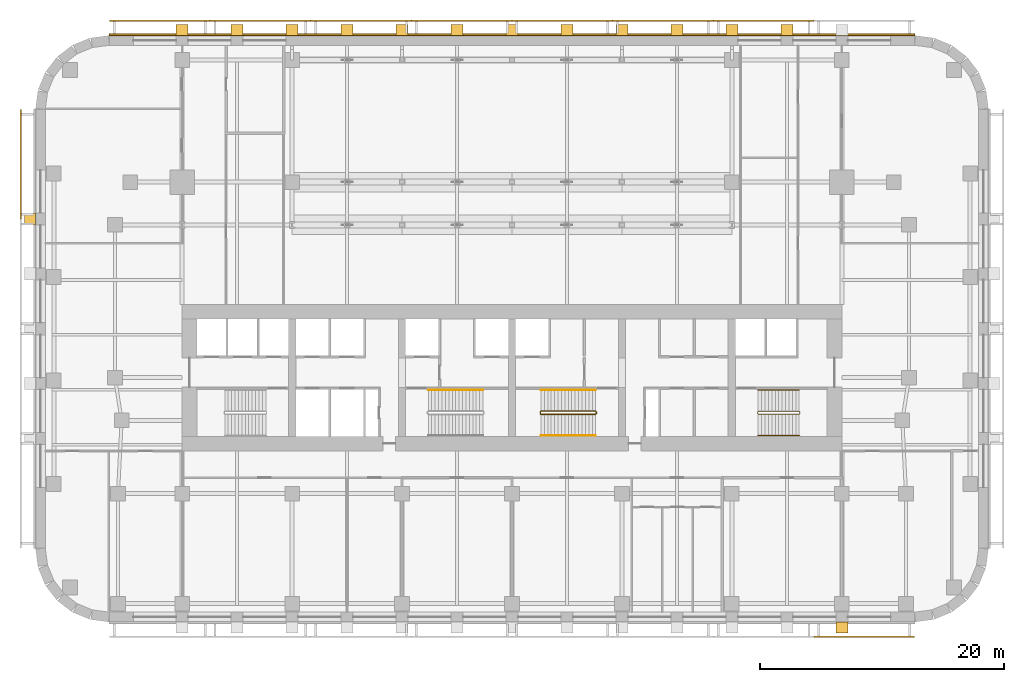
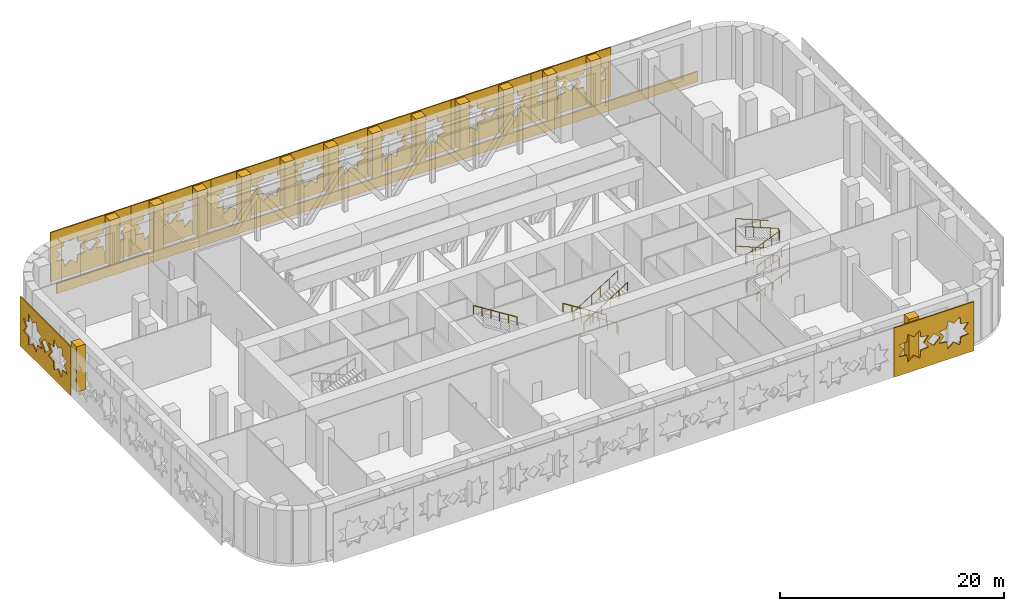
# One storey, part 14 of 15: 24 coverings, 7 railings.
"""IFC4 building model written with IfcOpenShell, lengths in metres."""

from ifc_helpers import new_model, si_unit, direction, frame, origin, origin_2d, place, context, subcontext, project, spatial, polyline, circle, outline, extrude, material, layer, layer_set, type_object, element, save


model = new_model("IFC4")

# Units and contexts
model_context = context("Model", 3, precision=1e-05, world=origin(), true_north=direction((0.0, 1.0)))
body_context = subcontext(model_context, "Body", "Model", "MODEL_VIEW")
ifc_project = project(units=[si_unit("LENGTHUNIT", "METRE"), si_unit("AREAUNIT", "SQUARE_METRE"), si_unit("VOLUMEUNIT", "CUBIC_METRE"), si_unit("PLANEANGLEUNIT", "RADIAN"), si_unit("MASSUNIT", "GRAM", prefix="KILO")], contexts=[model_context])

# Site, building, storey
site_placement = place(None, origin())
site = spatial("IfcSite", under=ifc_project, at=site_placement, CompositionType="ELEMENT")
building_placement = place(site_placement, origin())
building = spatial("IfcBuilding", under=site, at=building_placement, Name="Zellij Exchange Tower", CompositionType="ELEMENT")
storey_placement = place(building_placement, frame((0.0, 0.0, 33.0)))
storey = spatial("IfcBuildingStorey", under=building, at=storey_placement, Name="L05", CompositionType="ELEMENT", Elevation=33.0)

# Railings
ifc_material_1 = material(Name="Stainless steel", Category="steel")
railing_type_1 = type_object("IfcRailingType", Name="CORE-RG stair guard", PredefinedType="GUARDRAIL", material=ifc_material_1)
railing_1_placement = place(storey_placement, frame((6.89990234375, -10.800048828125, 0.0)))
element("IfcRailing", 1, at=railing_1_placement, inside=storey, type_object=railing_type_1, Name="ST3 stair guard L05", PredefinedType="GUARDRAIL", context=body_context, shape_type="SweptSolid", body=[
    extrude(circle(Radius=0.02392578125, at=origin_2d()), frame((0.0, 0.0, 1.076171875), z_axis=(0.0, -1.0, 0.0), x_axis=(1.0, 0.0, 0.0)), (0.0, 0.0, 1.0), 0.14990234375),
    extrude(circle(Radius=0.02392578125, at=origin_2d()), frame((0.0, -0.14990234375, 1.076171875), z_axis=(-0.183560001127, 0.736939416289, 0.650558239288), x_axis=(-0.970351222016, -0.241699205484, 0.0)), (0.0, 0.0, 1.0), 0.271240234375),
    extrude(circle(Radius=0.02392578125, at=origin_2d()), frame((-0.0498046875, 0.050048828125, 1.25244140625), z_axis=(-0.845997938375, 0.0, 0.533186166611), x_axis=(0.0, -1.0, 0.0)), (0.0, 0.0, 1.0), 5.29541015625),
    extrude(circle(Radius=0.02392578125, at=origin_2d()), frame((-4.52978515625, 0.050048828125, 4.076171875), z_axis=(-0.707106781187, -0.707106781187, 0.0), x_axis=(0.707106781187, -0.707106781187, 0.0)), (0.0, 0.0, 1.0), 0.07080078125),
    extrude(circle(Radius=0.02392578125, at=origin_2d()), frame((-4.579833984375, 0.0, 4.076171875), z_axis=(0.0, -1.0, 0.0), x_axis=(1.0, 0.0, 0.0)), (0.0, 0.0, 1.0), 0.14990234375),
    extrude(circle(Radius=0.02392578125, at=origin_2d()), frame((-4.579833984375, -0.14990234375, 4.076171875), z_axis=(0.263171338983, -0.263171338983, 0.928160380902), x_axis=(0.707106781187, 0.707106781187, 0.0)), (0.0, 0.0, 1.0), 0.190185546875),
    extrude(circle(Radius=0.02392578125, at=origin_2d()), frame((-4.52978515625, -0.199951171875, 4.25244140625), z_axis=(0.845997938375, 0.0, 0.533186166611), x_axis=(0.0, 1.0, 0.0)), (0.0, 0.0, 1.0), 5.29541015625),
    extrude(circle(Radius=0.02099609375, at=origin_2d()), origin(), (0.0, 0.0, 1.0), 1.052001953125),
    extrude(circle(Radius=0.02099609375, at=origin_2d()), frame((0.0, -0.14990234375, 0.0)), (0.0, 0.0, 1.0), 1.052001953125),
    extrude(circle(Radius=0.02099609375, at=origin_2d()), frame((-0.0498046875, 0.050048828125, 0.176513671875)), (0.0, 0.0, 1.0), 1.052001953125),
    extrude(circle(Radius=0.02099609375, at=origin_2d()), frame((-0.94580078125, 0.050048828125, 0.7412109375)), (0.0, 0.0, 1.0), 1.052001953125),
    extrude(circle(Radius=0.02099609375, at=origin_2d()), frame((-1.841796875, 0.050048828125, 1.305908203125)), (0.0, 0.0, 1.0), 1.052001953125),
    extrude(circle(Radius=0.02099609375, at=origin_2d()), frame((-2.73779296875, 0.050048828125, 1.87060546875)), (0.0, 0.0, 1.0), 1.052001953125),
    extrude(circle(Radius=0.02099609375, at=origin_2d()), frame((-3.6337890625, 0.050048828125, 2.435302734375)), (0.0, 0.0, 1.0), 1.052001953125),
    extrude(circle(Radius=0.02099609375, at=origin_2d()), frame((-4.52978515625, 0.050048828125, 3.0)), (0.0, 0.0, 1.0), 1.052001953125),
    extrude(circle(Radius=0.02099609375, at=origin_2d()), frame((-4.579833984375, 0.0, 3.0)), (0.0, 0.0, 1.0), 1.052001953125),
    extrude(circle(Radius=0.02099609375, at=origin_2d()), frame((-4.579833984375, -0.14990234375, 3.0)), (0.0, 0.0, 1.0), 1.052001953125),
    extrude(circle(Radius=0.02099609375, at=origin_2d()), frame((-4.52978515625, -0.199951171875, 3.176513671875)), (0.0, 0.0, 1.0), 1.052001953125),
    extrude(circle(Radius=0.02099609375, at=origin_2d()), frame((-3.6337890625, -0.199951171875, 3.7412109375)), (0.0, 0.0, 1.0), 1.052001953125),
    extrude(circle(Radius=0.02099609375, at=origin_2d()), frame((-2.73779296875, -0.199951171875, 4.305908203125)), (0.0, 0.0, 1.0), 1.052001953125),
    extrude(circle(Radius=0.02099609375, at=origin_2d()), frame((-1.841796875, -0.199951171875, 4.87060546875)), (0.0, 0.0, 1.0), 1.052001953125),
    extrude(circle(Radius=0.02099609375, at=origin_2d()), frame((-0.94580078125, -0.199951171875, 5.435302734375)), (0.0, 0.0, 1.0), 1.052001953125),
    extrude(circle(Radius=0.02099609375, at=origin_2d()), frame((-0.0498046875, -0.199951171875, 6.0)), (0.0, 0.0, 1.0), 1.052001953125),
])
railing_2_placement = place(storey_placement, frame((20.10009765625, -10.949951171875, 0.0)))
element("IfcRailing", 2, at=railing_2_placement, inside=storey, type_object=railing_type_1, Name="ST4 stair guard L05", PredefinedType="GUARDRAIL", context=body_context, shape_type="SweptSolid", body=[
    extrude(circle(Radius=0.02392578125, at=origin_2d()), frame((0.0, 0.0, 1.076171875), z_axis=(0.0, 1.0, 0.0), x_axis=(-1.0, 0.0, 0.0)), (0.0, 0.0, 1.0), 0.14990234375),
    extrude(circle(Radius=0.02392578125, at=origin_2d()), frame((0.0, 0.14990234375, 1.076171875), z_axis=(0.210847110147, -0.846489133385, 0.488875897547), x_axis=(0.970351222016, 0.241699205484, 0.0)), (0.0, 0.0, 1.0), 0.236328125),
    extrude(circle(Radius=0.02392578125, at=origin_2d()), frame((0.0498046875, -0.050048828125, 1.19140625), z_axis=(0.924586246868, 0.0, 0.380972797064), x_axis=(0.0, 1.0, 0.0)), (0.0, 0.0, 1.0), 3.63427734375),
    extrude(circle(Radius=0.02392578125, at=origin_2d()), frame((3.409912109375, -0.050048828125, 2.576171875), z_axis=(0.707106781187, 0.707106781187, 0.0), x_axis=(-0.707106781187, 0.707106781187, 0.0)), (0.0, 0.0, 1.0), 0.07080078125),
    extrude(circle(Radius=0.02392578125, at=origin_2d()), frame((3.4599609375, 0.0, 2.576171875), z_axis=(0.0, 1.0, 0.0), x_axis=(-1.0, 0.0, 0.0)), (0.0, 0.0, 1.0), 0.14990234375),
    extrude(circle(Radius=0.02392578125, at=origin_2d()), frame((3.4599609375, 0.14990234375, 2.576171875), z_axis=(-0.3695169537, 0.3695169537, 0.852592776099), x_axis=(-0.707106781187, -0.707106781187, 0.0)), (0.0, 0.0, 1.0), 0.135498046875),
    extrude(circle(Radius=0.02392578125, at=origin_2d()), frame((3.409912109375, 0.199951171875, 2.69140625), z_axis=(-0.924586246868, 0.0, 0.380972797064), x_axis=(0.0, -1.0, 0.0)), (0.0, 0.0, 1.0), 3.63427734375),
    extrude(circle(Radius=0.02392578125, at=origin_2d()), frame((0.0498046875, 0.199951171875, 4.076171875), z_axis=(-0.241699205484, -0.970351222016, 0.0), x_axis=(0.970351222016, -0.241699205484, 0.0)), (0.0, 0.0, 1.0), 0.2060546875),
    extrude(circle(Radius=0.02392578125, at=origin_2d()), frame((0.0, 0.0, 4.076171875), z_axis=(0.0, 1.0, 0.0), x_axis=(-1.0, 0.0, 0.0)), (0.0, 0.0, 1.0), 0.14990234375),
    extrude(circle(Radius=0.02392578125, at=origin_2d()), frame((0.0, 0.14990234375, 4.076171875), z_axis=(0.210847110147, -0.846489133385, 0.488875897547), x_axis=(0.970351222016, 0.241699205484, 0.0)), (0.0, 0.0, 1.0), 0.236328125),
    extrude(circle(Radius=0.02392578125, at=origin_2d()), frame((0.0498046875, -0.050048828125, 4.19140625), z_axis=(0.924586246868, 0.0, 0.380972797064), x_axis=(0.0, 1.0, 0.0)), (0.0, 0.0, 1.0), 3.63427734375),
    extrude(circle(Radius=0.02392578125, at=origin_2d()), frame((3.409912109375, -0.050048828125, 5.576171875), z_axis=(0.707106781187, 0.707106781187, 0.0), x_axis=(-0.707106781187, 0.707106781187, 0.0)), (0.0, 0.0, 1.0), 0.07080078125),
    extrude(circle(Radius=0.02392578125, at=origin_2d()), frame((3.4599609375, 0.0, 5.576171875), z_axis=(0.0, 1.0, 0.0), x_axis=(-1.0, 0.0, 0.0)), (0.0, 0.0, 1.0), 0.14990234375),
    extrude(circle(Radius=0.02392578125, at=origin_2d()), frame((3.4599609375, 0.14990234375, 5.576171875), z_axis=(-0.3695169537, 0.3695169537, 0.852592776099), x_axis=(-0.707106781187, -0.707106781187, 0.0)), (0.0, 0.0, 1.0), 0.135498046875),
    extrude(circle(Radius=0.02392578125, at=origin_2d()), frame((3.409912109375, 0.199951171875, 5.69140625), z_axis=(-0.924586246868, 0.0, 0.380972797064), x_axis=(0.0, -1.0, 0.0)), (0.0, 0.0, 1.0), 3.63427734375),
    extrude(circle(Radius=0.02099609375, at=origin_2d()), origin(), (0.0, 0.0, 1.0), 1.052001953125),
    extrude(circle(Radius=0.02099609375, at=origin_2d()), frame((0.0, 0.14990234375, 0.0)), (0.0, 0.0, 1.0), 1.052001953125),
    extrude(circle(Radius=0.02099609375, at=origin_2d()), frame((0.0498046875, -0.050048828125, 0.115478515625)), (0.0, 0.0, 1.0), 1.052001953125),
    extrude(circle(Radius=0.02099609375, at=origin_2d()), frame((0.889892578125, -0.050048828125, 0.461669921875)), (0.0, 0.0, 1.0), 1.052001953125),
    extrude(circle(Radius=0.02099609375, at=origin_2d()), frame((1.72998046875, -0.050048828125, 0.8076171875)), (0.0, 0.0, 1.0), 1.052001953125),
    extrude(circle(Radius=0.02099609375, at=origin_2d()), frame((2.56982421875, -0.050048828125, 1.15380859375)), (0.0, 0.0, 1.0), 1.052001953125),
    extrude(circle(Radius=0.02099609375, at=origin_2d()), frame((3.409912109375, -0.050048828125, 1.5)), (0.0, 0.0, 1.0), 1.052001953125),
    extrude(circle(Radius=0.02099609375, at=origin_2d()), frame((3.4599609375, 0.0, 1.5)), (0.0, 0.0, 1.0), 1.052001953125),
    extrude(circle(Radius=0.02099609375, at=origin_2d()), frame((3.4599609375, 0.14990234375, 1.5)), (0.0, 0.0, 1.0), 1.052001953125),
    extrude(circle(Radius=0.02099609375, at=origin_2d()), frame((3.409912109375, 0.199951171875, 1.615478515625)), (0.0, 0.0, 1.0), 1.052001953125),
    extrude(circle(Radius=0.02099609375, at=origin_2d()), frame((2.56982421875, 0.199951171875, 1.961669921875)), (0.0, 0.0, 1.0), 1.052001953125),
    extrude(circle(Radius=0.02099609375, at=origin_2d()), frame((1.72998046875, 0.199951171875, 2.3076171875)), (0.0, 0.0, 1.0), 1.052001953125),
    extrude(circle(Radius=0.02099609375, at=origin_2d()), frame((0.889892578125, 0.199951171875, 2.65380859375)), (0.0, 0.0, 1.0), 1.052001953125),
    extrude(circle(Radius=0.02099609375, at=origin_2d()), frame((0.0498046875, 0.199951171875, 3.0)), (0.0, 0.0, 1.0), 1.052001953125),
    extrude(circle(Radius=0.02099609375, at=origin_2d()), frame((0.0, 0.0, 3.0)), (0.0, 0.0, 1.0), 1.052001953125),
    extrude(circle(Radius=0.02099609375, at=origin_2d()), frame((0.0, 0.14990234375, 3.0)), (0.0, 0.0, 1.0), 1.052001953125),
    extrude(circle(Radius=0.02099609375, at=origin_2d()), frame((0.0498046875, -0.050048828125, 3.115478515625)), (0.0, 0.0, 1.0), 1.052001953125),
    extrude(circle(Radius=0.02099609375, at=origin_2d()), frame((0.889892578125, -0.050048828125, 3.461669921875)), (0.0, 0.0, 1.0), 1.052001953125),
    extrude(circle(Radius=0.02099609375, at=origin_2d()), frame((1.72998046875, -0.050048828125, 3.8076171875)), (0.0, 0.0, 1.0), 1.052001953125),
    extrude(circle(Radius=0.02099609375, at=origin_2d()), frame((2.56982421875, -0.050048828125, 4.15380859375)), (0.0, 0.0, 1.0), 1.052001953125),
    extrude(circle(Radius=0.02099609375, at=origin_2d()), frame((3.409912109375, -0.050048828125, 4.5)), (0.0, 0.0, 1.0), 1.052001953125),
    extrude(circle(Radius=0.02099609375, at=origin_2d()), frame((3.4599609375, 0.0, 4.5)), (0.0, 0.0, 1.0), 1.052001953125),
    extrude(circle(Radius=0.02099609375, at=origin_2d()), frame((3.4599609375, 0.14990234375, 4.5)), (0.0, 0.0, 1.0), 1.052001953125),
    extrude(circle(Radius=0.02099609375, at=origin_2d()), frame((3.409912109375, 0.199951171875, 4.615478515625)), (0.0, 0.0, 1.0), 1.052001953125),
    extrude(circle(Radius=0.02099609375, at=origin_2d()), frame((2.56982421875, 0.199951171875, 4.961669921875)), (0.0, 0.0, 1.0), 1.052001953125),
    extrude(circle(Radius=0.02099609375, at=origin_2d()), frame((1.72998046875, 0.199951171875, 5.3076171875)), (0.0, 0.0, 1.0), 1.052001953125),
    extrude(circle(Radius=0.02099609375, at=origin_2d()), frame((0.889892578125, 0.199951171875, 5.65380859375)), (0.0, 0.0, 1.0), 1.052001953125),
    extrude(circle(Radius=0.02099609375, at=origin_2d()), frame((0.0498046875, 0.199951171875, 6.0)), (0.0, 0.0, 1.0), 1.052001953125),
])
railing_type_2 = type_object("IfcRailingType", Name="CORE-RH stair handrail", PredefinedType="HANDRAIL", material=ifc_material_1)
for number, where, name in (
    (3, (-2.3701171875, -9.0, 3.176513671875), "ST2 stair handrail L05"),
    (4, (6.85009765625, -9.0, 0.176513671875), "ST3 stair handrail L05"),
):
    element("IfcRailing", number, at=place(storey_placement, frame(where)), inside=storey, type_object=railing_type_2, Name=name, PredefinedType="HANDRAIL", context=body_context, shape_type="SweptSolid", body=[
        extrude(circle(Radius=0.02392578125, at=origin_2d()), frame((0.0, 0.0, 0.8759765625), z_axis=(-0.845997938375, 0.0, 0.533186166611), x_axis=(0.0, -1.0, 0.0)), (0.0, 0.0, 1.0), 5.29541015625),
        extrude(circle(Radius=0.02099609375, at=origin_2d()), origin(), (0.0, 0.0, 1.0), 0.851806640625),
        extrude(circle(Radius=0.02099609375, at=origin_2d()), frame((-0.89599609375, 0.0, 0.564697265625)), (0.0, 0.0, 1.0), 0.851806640625),
        extrude(circle(Radius=0.02099609375, at=origin_2d()), frame((-1.7919921875, 0.0, 1.12939453125)), (0.0, 0.0, 1.0), 0.851806640625),
        extrude(circle(Radius=0.02099609375, at=origin_2d()), frame((-2.68798828125, 0.0, 1.694091796875)), (0.0, 0.0, 1.0), 0.851806640625),
        extrude(circle(Radius=0.02099609375, at=origin_2d()), frame((-3.583984375, 0.0, 2.2587890625)), (0.0, 0.0, 1.0), 0.851806640625),
        extrude(circle(Radius=0.02099609375, at=origin_2d()), frame((-4.47998046875, 0.0, 2.823486328125)), (0.0, 0.0, 1.0), 0.851806640625),
    ])
railing_3_placement = place(storey_placement, frame((2.3701171875, -12.75, 3.176513671875)))
element("IfcRailing", 5, at=railing_3_placement, inside=storey, type_object=railing_type_2, Name="ST3 stair handrail L05", PredefinedType="HANDRAIL", context=body_context, shape_type="SweptSolid", body=[
    extrude(circle(Radius=0.02392578125, at=origin_2d()), frame((0.0, 0.0, 0.8759765625), z_axis=(0.845997938375, 0.0, 0.533186166611), x_axis=(0.0, 1.0, 0.0)), (0.0, 0.0, 1.0), 5.29541015625),
    extrude(circle(Radius=0.02099609375, at=origin_2d()), origin(), (0.0, 0.0, 1.0), 0.851806640625),
    extrude(circle(Radius=0.02099609375, at=origin_2d()), frame((0.89599609375, 0.0, 0.564697265625)), (0.0, 0.0, 1.0), 0.851806640625),
    extrude(circle(Radius=0.02099609375, at=origin_2d()), frame((1.7919921875, 0.0, 1.12939453125)), (0.0, 0.0, 1.0), 0.851806640625),
    extrude(circle(Radius=0.02099609375, at=origin_2d()), frame((2.68798828125, 0.0, 1.694091796875)), (0.0, 0.0, 1.0), 0.851806640625),
    extrude(circle(Radius=0.02099609375, at=origin_2d()), frame((3.583984375, 0.0, 2.2587890625)), (0.0, 0.0, 1.0), 0.851806640625),
    extrude(circle(Radius=0.02099609375, at=origin_2d()), frame((4.47998046875, 0.0, 2.823486328125)), (0.0, 0.0, 1.0), 0.851806640625),
])
railing_4_placement = place(storey_placement, frame((20.14990234375, -12.75, 0.115478515625)))
element("IfcRailing", 6, at=railing_4_placement, inside=storey, type_object=railing_type_2, Name="ST4 stair handrail L05", PredefinedType="HANDRAIL", context=body_context, shape_type="SweptSolid", body=[
    extrude(circle(Radius=0.02392578125, at=origin_2d()), frame((0.0, 0.0, 0.8759765625), z_axis=(0.924586246868, 0.0, 0.380972797064), x_axis=(0.0, 1.0, 0.0)), (0.0, 0.0, 1.0), 3.63427734375),
    extrude(circle(Radius=0.02392578125, at=origin_2d()), frame((3.360107421875, 0.0, 2.26025390625), z_axis=(0.0, 0.0, 1.0), x_axis=(1.0, 0.0, 0.0)), (0.0, 0.0, 1.0), 3.0),
    extrude(circle(Radius=0.02392578125, at=origin_2d()), frame((3.360107421875, 0.0, 5.26025390625), z_axis=(-0.924586246868, 0.0, -0.380972797064), x_axis=(0.0, -1.0, 0.0)), (0.0, 0.0, 1.0), 3.63427734375),
    extrude(circle(Radius=0.02099609375, at=origin_2d()), origin(), (0.0, 0.0, 1.0), 0.851806640625),
    extrude(circle(Radius=0.02099609375, at=origin_2d()), frame((0.840087890625, 0.0, 0.34619140625)), (0.0, 0.0, 1.0), 0.851806640625),
    extrude(circle(Radius=0.02099609375, at=origin_2d()), frame((1.68017578125, 0.0, 0.6923828125)), (0.0, 0.0, 1.0), 0.851806640625),
    extrude(circle(Radius=0.02099609375, at=origin_2d()), frame((2.52001953125, 0.0, 1.038330078125)), (0.0, 0.0, 1.0), 0.851806640625),
    extrude(circle(Radius=0.02099609375, at=origin_2d()), frame((3.360107421875, 0.0, 1.384521484375)), (0.0, 0.0, 1.0), 0.851806640625),
    extrude(circle(Radius=0.02099609375, at=origin_2d()), frame((3.360107421875, 0.0, 2.384521484375)), (0.0, 0.0, 1.0), 0.851806640625),
    extrude(circle(Radius=0.02099609375, at=origin_2d()), frame((3.360107421875, 0.0, 3.384521484375)), (0.0, 0.0, 1.0), 0.851806640625),
    extrude(circle(Radius=0.02099609375, at=origin_2d()), frame((3.360107421875, 0.0, 4.384521484375)), (0.0, 0.0, 1.0), 0.851806640625),
    extrude(circle(Radius=0.02099609375, at=origin_2d()), frame((2.52001953125, 0.0, 4.038330078125)), (0.0, 0.0, 1.0), 0.851806640625),
    extrude(circle(Radius=0.02099609375, at=origin_2d()), frame((1.68017578125, 0.0, 3.6923828125)), (0.0, 0.0, 1.0), 0.851806640625),
    extrude(circle(Radius=0.02099609375, at=origin_2d()), frame((0.840087890625, 0.0, 3.34619140625)), (0.0, 0.0, 1.0), 0.851806640625),
    extrude(circle(Radius=0.02099609375, at=origin_2d()), frame((0.0, 0.0, 3.0)), (0.0, 0.0, 1.0), 0.851806640625),
])
railing_5_placement = place(storey_placement, frame((23.510009765625, -9.0, 1.615478515625)))
element("IfcRailing", 7, at=railing_5_placement, inside=storey, type_object=railing_type_2, Name="ST4 stair handrail L05", PredefinedType="HANDRAIL", context=body_context, shape_type="SweptSolid", body=[
    extrude(circle(Radius=0.02392578125, at=origin_2d()), frame((0.0, 0.0, 0.8759765625), z_axis=(-0.924586246868, 0.0, 0.380972797064), x_axis=(0.0, -1.0, 0.0)), (0.0, 0.0, 1.0), 3.63427734375),
    extrude(circle(Radius=0.02392578125, at=origin_2d()), frame((-3.360107421875, 0.0, 2.26025390625), z_axis=(0.0, 0.0, 1.0), x_axis=(1.0, 0.0, 0.0)), (0.0, 0.0, 1.0), 3.0),
    extrude(circle(Radius=0.02392578125, at=origin_2d()), frame((-3.360107421875, 0.0, 5.26025390625), z_axis=(0.924586246868, 0.0, -0.380972797064), x_axis=(0.0, 1.0, 0.0)), (0.0, 0.0, 1.0), 3.63427734375),
    extrude(circle(Radius=0.02099609375, at=origin_2d()), origin(), (0.0, 0.0, 1.0), 0.851806640625),
    extrude(circle(Radius=0.02099609375, at=origin_2d()), frame((-0.840087890625, 0.0, 0.34619140625)), (0.0, 0.0, 1.0), 0.851806640625),
    extrude(circle(Radius=0.02099609375, at=origin_2d()), frame((-1.68017578125, 0.0, 0.6923828125)), (0.0, 0.0, 1.0), 0.851806640625),
    extrude(circle(Radius=0.02099609375, at=origin_2d()), frame((-2.52001953125, 0.0, 1.038330078125)), (0.0, 0.0, 1.0), 0.851806640625),
    extrude(circle(Radius=0.02099609375, at=origin_2d()), frame((-3.360107421875, 0.0, 1.384521484375)), (0.0, 0.0, 1.0), 0.851806640625),
    extrude(circle(Radius=0.02099609375, at=origin_2d()), frame((-3.360107421875, 0.0, 2.384521484375)), (0.0, 0.0, 1.0), 0.851806640625),
    extrude(circle(Radius=0.02099609375, at=origin_2d()), frame((-3.360107421875, 0.0, 3.384521484375)), (0.0, 0.0, 1.0), 0.851806640625),
    extrude(circle(Radius=0.02099609375, at=origin_2d()), frame((-3.360107421875, 0.0, 4.384521484375)), (0.0, 0.0, 1.0), 0.851806640625),
    extrude(circle(Radius=0.02099609375, at=origin_2d()), frame((-2.52001953125, 0.0, 4.038330078125)), (0.0, 0.0, 1.0), 0.851806640625),
    extrude(circle(Radius=0.02099609375, at=origin_2d()), frame((-1.68017578125, 0.0, 3.6923828125)), (0.0, 0.0, 1.0), 0.851806640625),
    extrude(circle(Radius=0.02099609375, at=origin_2d()), frame((-0.840087890625, 0.0, 3.34619140625)), (0.0, 0.0, 1.0), 0.851806640625),
    extrude(circle(Radius=0.02099609375, at=origin_2d()), frame((0.0, 0.0, 3.0)), (0.0, 0.0, 1.0), 0.851806640625),
])

# Coverings
ifc_material_2 = material(Name="Limestone cladding", Category="masonry")
ifc_layer_1 = layer(ifc_material_2, 0.14990234375)
ifc_layer_set_1 = layer_set([ifc_layer_1], Name="Limestone cladding")
covering_type_1 = type_object("IfcCoveringType", Name="ENV-CV1 Stone spandrel band 150", PredefinedType="CLADDING", material=ifc_layer_set_1)
covering_1_placement = place(storey_placement, frame((0.0, 0.0, -0.300048828125)))
element("IfcCovering", 8, at=covering_1_placement, inside=storey, type_object=covering_type_1, Name="Stone spandrel band", PredefinedType="CLADDING", context=body_context, shape_type="SweptSolid", body=[
    extrude(outline(polyline([(32.973876953125, 20.0), (-32.973876953125, 20.0), (-32.983642578125, 20.14990234375), (32.983642578125, 20.14990234375), (32.973876953125, 20.0)])), origin(), (0.0, 0.0, 1.0), 1.10009765625),
])
covering_type_2 = type_object("IfcCoveringType", Name="ENV-CV2 Stone pier 1000x900", PredefinedType="CLADDING", material=ifc_material_2)
covering_2_placement = place(storey_placement, frame((0.0, 0.0, 0.800048828125)))
element("IfcCovering", 9, at=covering_2_placement, inside=storey, type_object=covering_type_2, Name="Stone pier", PredefinedType="CLADDING", context=body_context, shape_type="SweptSolid", body=[
    extrude(outline(polyline([(26.5, -28.0), (27.5, -28.0), (27.5, -28.89990234375), (26.5, -28.89990234375), (26.5, -28.0)])), origin(), (0.0, 0.0, 1.0), 4.949951171875),
])
covering_3_placement = place(storey_placement, frame((0.0, 0.0, 0.800048828125)))
element("IfcCovering", 10, at=covering_3_placement, inside=storey, type_object=covering_type_2, Name="Stone pier", PredefinedType="CLADDING", context=body_context, shape_type="SweptSolid", body=[
    extrude(outline(polyline([(23.0, 20.0), (22.0, 20.0), (22.0, 20.89990234375), (23.0, 20.89990234375), (23.0, 20.0)])), origin(), (0.0, 0.0, 1.0), 4.949951171875),
])
covering_4_placement = place(storey_placement, frame((0.0, 0.0, 0.800048828125)))
element("IfcCovering", 11, at=covering_4_placement, inside=storey, type_object=covering_type_2, Name="Stone pier", PredefinedType="CLADDING", context=body_context, shape_type="SweptSolid", body=[
    extrude(outline(polyline([(18.5, 20.0), (17.5, 20.0), (17.5, 20.89990234375), (18.5, 20.89990234375), (18.5, 20.0)])), origin(), (0.0, 0.0, 1.0), 4.949951171875),
])
covering_5_placement = place(storey_placement, frame((0.0, 0.0, 0.800048828125)))
element("IfcCovering", 12, at=covering_5_placement, inside=storey, type_object=covering_type_2, Name="Stone pier", PredefinedType="CLADDING", context=body_context, shape_type="SweptSolid", body=[
    extrude(outline(polyline([(14.0, 20.0), (13.0, 20.0), (13.0, 20.89990234375), (14.0, 20.89990234375), (14.0, 20.0)])), origin(), (0.0, 0.0, 1.0), 4.949951171875),
])
covering_6_placement = place(storey_placement, frame((0.0, 0.0, 0.800048828125)))
element("IfcCovering", 13, at=covering_6_placement, inside=storey, type_object=covering_type_2, Name="Stone pier", PredefinedType="CLADDING", context=body_context, shape_type="SweptSolid", body=[
    extrude(outline(polyline([(9.5, 20.0), (8.5, 20.0), (8.5, 20.89990234375), (9.5, 20.89990234375), (9.5, 20.0)])), origin(), (0.0, 0.0, 1.0), 4.949951171875),
])
covering_7_placement = place(storey_placement, frame((0.0, 0.0, 0.800048828125)))
element("IfcCovering", 14, at=covering_7_placement, inside=storey, type_object=covering_type_2, Name="Stone pier", PredefinedType="CLADDING", context=body_context, shape_type="SweptSolid", body=[
    extrude(outline(polyline([(5.0, 20.0), (4.0, 20.0), (4.0, 20.89990234375), (5.0, 20.89990234375), (5.0, 20.0)])), origin(), (0.0, 0.0, 1.0), 4.949951171875),
])
covering_8_placement = place(storey_placement, frame((0.0, 0.0, 0.800048828125)))
element("IfcCovering", 15, at=covering_8_placement, inside=storey, type_object=covering_type_2, Name="Stone pier", PredefinedType="CLADDING", context=body_context, shape_type="SweptSolid", body=[
    extrude(outline(polyline([(0.5, 20.0), (-0.5, 20.0), (-0.5, 20.89990234375), (0.5, 20.89990234375), (0.5, 20.0)])), origin(), (0.0, 0.0, 1.0), 4.949951171875),
])
covering_9_placement = place(storey_placement, frame((0.0, 0.0, 0.800048828125)))
element("IfcCovering", 16, at=covering_9_placement, inside=storey, type_object=covering_type_2, Name="Stone pier", PredefinedType="CLADDING", context=body_context, shape_type="SweptSolid", body=[
    extrude(outline(polyline([(-4.0, 20.0), (-5.0, 20.0), (-5.0, 20.89990234375), (-4.0, 20.89990234375), (-4.0, 20.0)])), origin(), (0.0, 0.0, 1.0), 4.949951171875),
])
covering_10_placement = place(storey_placement, frame((0.0, 0.0, 0.800048828125)))
element("IfcCovering", 17, at=covering_10_placement, inside=storey, type_object=covering_type_2, Name="Stone pier", PredefinedType="CLADDING", context=body_context, shape_type="SweptSolid", body=[
    extrude(outline(polyline([(-8.5, 20.0), (-9.5, 20.0), (-9.5, 20.89990234375), (-8.5, 20.89990234375), (-8.5, 20.0)])), origin(), (0.0, 0.0, 1.0), 4.949951171875),
])
covering_11_placement = place(storey_placement, frame((0.0, 0.0, 0.800048828125)))
element("IfcCovering", 18, at=covering_11_placement, inside=storey, type_object=covering_type_2, Name="Stone pier", PredefinedType="CLADDING", context=body_context, shape_type="SweptSolid", body=[
    extrude(outline(polyline([(-13.0, 20.0), (-14.0, 20.0), (-14.0, 20.89990234375), (-13.0, 20.89990234375), (-13.0, 20.0)])), origin(), (0.0, 0.0, 1.0), 4.949951171875),
])
covering_12_placement = place(storey_placement, frame((0.0, 0.0, 0.800048828125)))
element("IfcCovering", 19, at=covering_12_placement, inside=storey, type_object=covering_type_2, Name="Stone pier", PredefinedType="CLADDING", context=body_context, shape_type="SweptSolid", body=[
    extrude(outline(polyline([(-17.5, 20.0), (-18.5, 20.0), (-18.5, 20.89990234375), (-17.5, 20.89990234375), (-17.5, 20.0)])), origin(), (0.0, 0.0, 1.0), 4.949951171875),
])
covering_13_placement = place(storey_placement, frame((0.0, 0.0, 0.800048828125)))
element("IfcCovering", 20, at=covering_13_placement, inside=storey, type_object=covering_type_2, Name="Stone pier", PredefinedType="CLADDING", context=body_context, shape_type="SweptSolid", body=[
    extrude(outline(polyline([(-22.0, 20.0), (-23.0, 20.0), (-23.0, 20.89990234375), (-22.0, 20.89990234375), (-22.0, 20.0)])), origin(), (0.0, 0.0, 1.0), 4.949951171875),
])
covering_14_placement = place(storey_placement, frame((0.0, 0.0, 0.800048828125)))
element("IfcCovering", 21, at=covering_14_placement, inside=storey, type_object=covering_type_2, Name="Stone pier", PredefinedType="CLADDING", context=body_context, shape_type="SweptSolid", body=[
    extrude(outline(polyline([(-26.5, 20.0), (-27.5, 20.0), (-27.5, 20.89990234375), (-26.5, 20.89990234375), (-26.5, 20.0)])), origin(), (0.0, 0.0, 1.0), 4.949951171875),
])
covering_15_placement = place(storey_placement, frame((0.0, 0.0, 0.800048828125)))
element("IfcCovering", 22, at=covering_15_placement, inside=storey, type_object=covering_type_2, Name="Stone pier", PredefinedType="CLADDING", context=body_context, shape_type="SweptSolid", body=[
    extrude(outline(polyline([(-39.0, 5.48681640625), (-39.0, 4.48681640625), (-39.89990234375, 4.48681640625), (-39.89990234375, 5.48681640625), (-39.0, 5.48681640625)])), origin(), (0.0, 0.0, 1.0), 4.949951171875),
])
ifc_material_3 = material(Name="Limestone screen", Category="masonry")
ifc_layer_2 = layer(ifc_material_3, 0.1201171875)
ifc_layer_set_2 = layer_set([ifc_layer_2], Name="Limestone screen")
covering_type_3 = type_object("IfcCoveringType", Name="ENV-SC1 Pierced stone screen 120", PredefinedType="USERDEFINED", material=ifc_layer_set_2)
covering_16_placement = place(storey_placement, frame((-40.2099609375, 13.947509765625, 0.300048828125), z_axis=(0.0, 0.0, 1.0), x_axis=(0.0, -1.0, 0.0)))
element("IfcCovering", 23, at=covering_16_placement, inside=storey, type_object=covering_type_3, Name="Pierced stone screen", ObjectType="SCREEN", PredefinedType="USERDEFINED", context=body_context, shape_type="SweptSolid", body=[
    extrude(outline(polyline([(0.0, 0.0), (8.973876953125, 0.0), (8.973876953125, 5.35009765625), (0.0, 5.35009765625), (0.0, 0.0)]), holes=[polyline([(3.901611328125, 3.36181640625), (3.0302734375, 3.4619140625), (2.930419921875, 4.3330078125), (2.243408203125, 3.787841796875), (1.556640625, 4.3330078125), (1.45654296875, 3.4619140625), (0.585205078125, 3.36181640625), (1.130615234375, 2.675048828125), (0.585205078125, 1.98828125), (1.45654296875, 1.88818359375), (1.556640625, 1.016845703125), (2.243408203125, 1.562255859375), (2.930419921875, 1.016845703125), (3.0302734375, 1.88818359375), (3.901611328125, 1.98828125), (3.356201171875, 2.675048828125), (3.901611328125, 3.36181640625)]), polyline([(8.388427734375, 3.36181640625), (7.51708984375, 3.4619140625), (7.417236328125, 4.3330078125), (6.730224609375, 3.787841796875), (6.04345703125, 4.3330078125), (5.943603515625, 3.4619140625), (5.072265625, 3.36181640625), (5.61767578125, 2.675048828125), (5.072265625, 1.98828125), (5.943603515625, 1.88818359375), (6.04345703125, 1.016845703125), (6.730224609375, 1.562255859375), (7.417236328125, 1.016845703125), (7.51708984375, 1.88818359375), (8.388427734375, 1.98828125), (7.843017578125, 2.675048828125), (8.388427734375, 3.36181640625)]), polyline([(5.204833984375, 2.675048828125), (4.48681640625, 3.392822265625), (3.76904296875, 2.675048828125), (4.48681640625, 1.95703125), (5.204833984375, 2.675048828125)])]), frame((0.0, 0.06005859375, 0.0), z_axis=(0.0, -1.0, 0.0), x_axis=(1.0, 0.0, 0.0)), (0.0, 0.0, 1.0), 0.1201171875),
])
for number, where, z_axis, x_axis, name in (
    (24, (24.710693359375, -29.2099609375, 0.300048828125), (0.0, 0.0, 1.0), (1.0, 0.0, 0.0), "Pierced stone screen"),
    (25, (24.710693359375, 21.2099609375, 0.300048828125), (0.0, 0.0, 1.0), (-1.0, 0.0, 0.0), "Pierced stone screen"),
    (26, (16.473876953125, 21.2099609375, 0.300048828125), (0.0, 0.0, 1.0), (-1.0, 0.0, 0.0), "Pierced stone screen"),
    (27, (8.23681640625, 21.2099609375, 0.300048828125), (0.0, 0.0, 1.0), (-1.0, 0.0, 0.0), "Pierced stone screen"),
    (28, (0.0, 21.2099609375, 0.300048828125), (0.0, 0.0, 1.0), (-1.0, 0.0, 0.0), "Pierced stone screen"),
    (29, (-8.23681640625, 21.2099609375, 0.300048828125), (0.0, 0.0, 1.0), (-1.0, 0.0, 0.0), "Pierced stone screen"),
    (30, (-16.473876953125, 21.2099609375, 0.300048828125), (0.0, 0.0, 1.0), (-1.0, 0.0, 0.0), "Pierced stone screen"),
    (31, (-24.710693359375, 21.2099609375, 0.300048828125), (0.0, 0.0, 1.0), (-1.0, 0.0, 0.0), "Pierced stone screen"),
):
    element("IfcCovering", number, at=place(storey_placement, frame(where, z_axis=z_axis, x_axis=x_axis)), inside=storey, type_object=covering_type_3, Name=name, ObjectType="SCREEN", PredefinedType="USERDEFINED", context=body_context, shape_type="SweptSolid", body=[
        extrude(outline(polyline([(0.0, 0.0), (8.23681640625, 0.0), (8.23681640625, 5.35009765625), (0.0, 5.35009765625), (0.0, 0.0)]), holes=[polyline([(3.581298828125, 3.305419921875), (2.781494140625, 3.397216796875), (2.689697265625, 4.197021484375), (2.05908203125, 3.6962890625), (1.4287109375, 4.197021484375), (1.3369140625, 3.397216796875), (0.537109375, 3.305419921875), (1.037841796875, 2.675048828125), (0.537109375, 2.044677734375), (1.3369140625, 1.952880859375), (1.4287109375, 1.153076171875), (2.05908203125, 1.653564453125), (2.689697265625, 1.153076171875), (2.781494140625, 1.952880859375), (3.581298828125, 2.044677734375), (3.08056640625, 2.675048828125), (3.581298828125, 3.305419921875)]), polyline([(7.69970703125, 3.305419921875), (6.89990234375, 3.397216796875), (6.80810546875, 4.197021484375), (6.177734375, 3.6962890625), (5.547119140625, 4.197021484375), (5.45556640625, 3.397216796875), (4.65576171875, 3.305419921875), (5.15625, 2.675048828125), (4.65576171875, 2.044677734375), (5.45556640625, 1.952880859375), (5.547119140625, 1.153076171875), (6.177734375, 1.653564453125), (6.80810546875, 1.153076171875), (6.89990234375, 1.952880859375), (7.69970703125, 2.044677734375), (7.198974609375, 2.675048828125), (7.69970703125, 3.305419921875)]), polyline([(4.77734375, 2.675048828125), (4.118408203125, 3.333984375), (3.45947265625, 2.675048828125), (4.118408203125, 2.01611328125), (4.77734375, 2.675048828125)])]), frame((0.0, 0.06005859375, 0.0), z_axis=(0.0, -1.0, 0.0), x_axis=(1.0, 0.0, 0.0)), (0.0, 0.0, 1.0), 0.1201171875),
    ])

save(model, "model.ifc")
